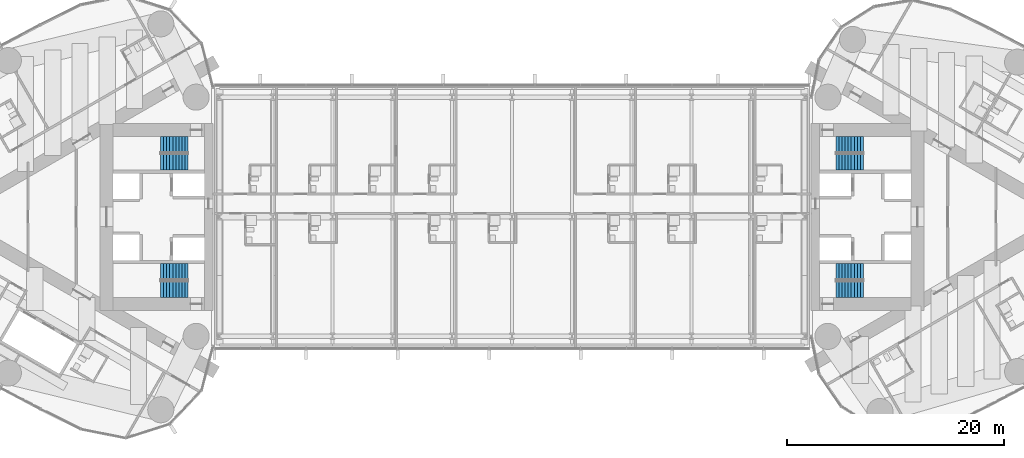
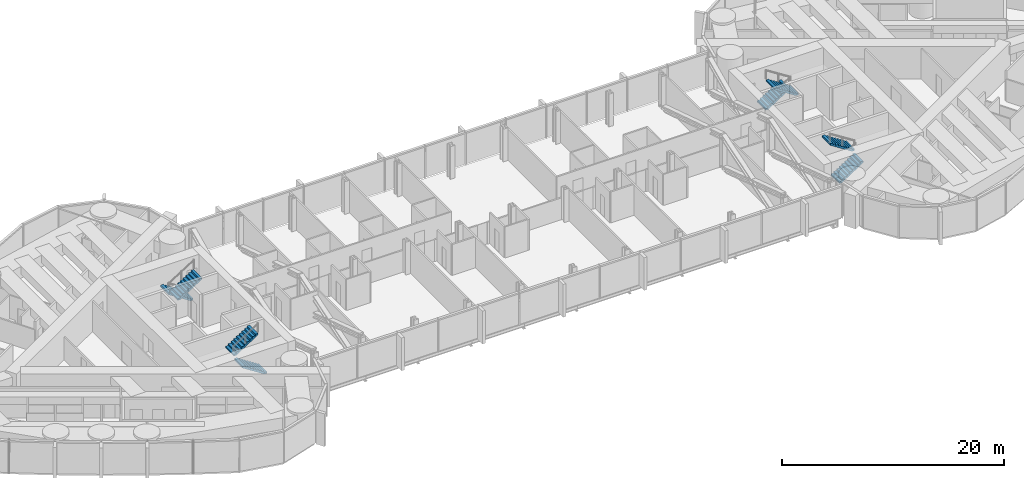
# One storey, part 20 of 22: 8 stair flights, 4 elements without a shape of their own.
"""IFC4 building model written with IfcOpenShell, lengths in metres."""

from ifc_helpers import new_model, si_unit, direction, frame, origin, place, context, subcontext, project, spatial, polyline, outline, extrude, material, type_object, element, aggregate, save


model = new_model("IFC4")

# Units and contexts
model_context = context("Model", 3, precision=1e-05, world=origin(), true_north=direction((0.0, 1.0)))
body_context = subcontext(model_context, "Body", "Model", "MODEL_VIEW")
ifc_project = project(units=[si_unit("LENGTHUNIT", "METRE"), si_unit("AREAUNIT", "SQUARE_METRE"), si_unit("VOLUMEUNIT", "CUBIC_METRE"), si_unit("PLANEANGLEUNIT", "RADIAN"), si_unit("MASSUNIT", "GRAM", prefix="KILO")], contexts=[model_context])

# Site, building, storey
site_placement = place(None, origin())
site = spatial("IfcSite", under=ifc_project, at=site_placement, CompositionType="ELEMENT")
building_placement = place(site_placement, origin())
building = spatial("IfcBuilding", under=site, at=building_placement, Name="Lancet Gate Hotel", CompositionType="ELEMENT")
storey_placement = place(building_placement, frame((0.0, 0.0, 233.300048828125)))
storey = spatial("IfcBuildingStorey", under=building, at=storey_placement, Name="L62", CompositionType="ELEMENT", Elevation=233.300048828125)

# Stair, stair flights
ifc_material_1 = material(Name="Exit stair 20 risers 1500")
stair_type = type_object("IfcStairType", Name="Exit stair 20 risers 1500", PredefinedType="HALF_TURN_STAIR", material=ifc_material_1)
stair_1_placement = place(storey_placement, origin())
stair_1 = element("IfcStair", 1, at=stair_1_placement, inside=storey, type_object=stair_type, Name="T1 stair 1 L62", PredefinedType="HALF_TURN_STAIR")
ifc_material_2 = material(Name="Stair flight 10 risers 180 rise 1500")
stair_flight_type = type_object("IfcStairFlightType", Name="Stair flight 10 risers 180 rise 1500", PredefinedType="STRAIGHT", material=ifc_material_2)
stair_flight_1_placement = place(storey_placement, frame((-29.800048828125, 6.64990234375, 0.0), z_axis=(0.0, 0.0, 1.0), x_axis=(-1.0, 0.0, 0.0)))
stair_flight_1 = element("IfcStairFlight", 2, at=stair_flight_1_placement, type_object=stair_flight_type, Name="ST1 flight 1", NumberOfRisers=10, NumberOfTreads=9, PredefinedType="STRAIGHT", RiserHeight=0.18, TreadLength=0.28, context=body_context, shape_type="SweptSolid", body=[
    extrude(outline(polyline([(0.0, 0.0), (0.0, 0.179931640625), (0.280029296875, 0.179931640625), (0.280029296875, 0.360107421875), (0.56005859375, 0.360107421875), (0.56005859375, 0.5400390625), (0.840087890625, 0.5400390625), (0.840087890625, 0.719970703125), (1.1201171875, 0.719970703125), (1.1201171875, 0.89990234375), (1.39990234375, 0.89990234375), (1.39990234375, 1.080078125), (1.679931640625, 1.080078125), (1.679931640625, 1.260009765625), (1.9599609375, 1.260009765625), (1.9599609375, 1.43994140625), (2.239990234375, 1.43994140625), (2.239990234375, 1.6201171875), (2.52001953125, 1.6201171875), (2.52001953125, 1.800048828125), (2.52001953125, 1.44189453125), (0.277099609375, 0.0), (0.0, 0.0)])), frame((0.0, 0.75, 0.0), z_axis=(0.0, -1.0, 0.0), x_axis=(1.0, 0.0, 0.0)), (0.0, 0.0, 1.0), 1.5),
])
stair_flight_2_placement = place(storey_placement, frame((-32.320068359375, 5.050048828125, 1.800048828125), z_axis=(0.0, 0.0, 1.0), x_axis=(1.0, 0.0, 0.0)))
stair_flight_2 = element("IfcStairFlight", 3, at=stair_flight_2_placement, type_object=stair_flight_type, Name="ST1 flight 2", NumberOfRisers=10, NumberOfTreads=9, PredefinedType="STRAIGHT", RiserHeight=0.18, TreadLength=0.28, context=body_context, shape_type="SweptSolid", body=[
    extrude(outline(polyline([(0.0, 0.0), (0.0, 0.179931640625), (0.280029296875, 0.179931640625), (0.280029296875, 0.360107421875), (0.56005859375, 0.360107421875), (0.56005859375, 0.5400390625), (0.840087890625, 0.5400390625), (0.840087890625, 0.719970703125), (1.1201171875, 0.719970703125), (1.1201171875, 0.89990234375), (1.39990234375, 0.89990234375), (1.39990234375, 1.080078125), (1.679931640625, 1.080078125), (1.679931640625, 1.260009765625), (1.9599609375, 1.260009765625), (1.9599609375, 1.43994140625), (2.239990234375, 1.43994140625), (2.239990234375, 1.6201171875), (2.52001953125, 1.6201171875), (2.52001953125, 1.800048828125), (2.52001953125, 1.44189453125), (0.277099609375, 0.0), (0.0, 0.0)])), frame((0.0, 0.75, 0.0), z_axis=(0.0, -1.0, 0.0), x_axis=(1.0, 0.0, 0.0)), (0.0, 0.0, 1.0), 1.5),
])
aggregate(stair_1, [stair_flight_1, stair_flight_2])

stair_2_placement = place(storey_placement, origin())
stair_2 = element("IfcStair", 4, at=stair_2_placement, inside=storey, type_object=stair_type, Name="T1 stair 2 L62", PredefinedType="HALF_TURN_STAIR")
stair_flight_3_placement = place(storey_placement, frame((-29.800048828125, -6.64990234375, 0.0), z_axis=(0.0, 0.0, 1.0), x_axis=(-1.0, 0.0, 0.0)))
stair_flight_3 = element("IfcStairFlight", 5, at=stair_flight_3_placement, type_object=stair_flight_type, Name="ST2 flight 1", NumberOfRisers=10, NumberOfTreads=9, PredefinedType="STRAIGHT", RiserHeight=0.18, TreadLength=0.28, context=body_context, shape_type="SweptSolid", body=[
    extrude(outline(polyline([(0.0, 0.0), (0.0, 0.179931640625), (0.280029296875, 0.179931640625), (0.280029296875, 0.360107421875), (0.56005859375, 0.360107421875), (0.56005859375, 0.5400390625), (0.840087890625, 0.5400390625), (0.840087890625, 0.719970703125), (1.1201171875, 0.719970703125), (1.1201171875, 0.89990234375), (1.39990234375, 0.89990234375), (1.39990234375, 1.080078125), (1.679931640625, 1.080078125), (1.679931640625, 1.260009765625), (1.9599609375, 1.260009765625), (1.9599609375, 1.43994140625), (2.239990234375, 1.43994140625), (2.239990234375, 1.6201171875), (2.52001953125, 1.6201171875), (2.52001953125, 1.800048828125), (2.52001953125, 1.44189453125), (0.277099609375, 0.0), (0.0, 0.0)])), frame((0.0, 0.75, 0.0), z_axis=(0.0, -1.0, 0.0), x_axis=(1.0, 0.0, 0.0)), (0.0, 0.0, 1.0), 1.5),
])
stair_flight_4_placement = place(storey_placement, frame((-32.320068359375, -5.050048828125, 1.800048828125), z_axis=(0.0, 0.0, 1.0), x_axis=(1.0, 0.0, 0.0)))
stair_flight_4 = element("IfcStairFlight", 6, at=stair_flight_4_placement, type_object=stair_flight_type, Name="ST2 flight 2", NumberOfRisers=10, NumberOfTreads=9, PredefinedType="STRAIGHT", RiserHeight=0.18, TreadLength=0.28, context=body_context, shape_type="SweptSolid", body=[
    extrude(outline(polyline([(0.0, 0.0), (0.0, 0.179931640625), (0.280029296875, 0.179931640625), (0.280029296875, 0.360107421875), (0.56005859375, 0.360107421875), (0.56005859375, 0.5400390625), (0.840087890625, 0.5400390625), (0.840087890625, 0.719970703125), (1.1201171875, 0.719970703125), (1.1201171875, 0.89990234375), (1.39990234375, 0.89990234375), (1.39990234375, 1.080078125), (1.679931640625, 1.080078125), (1.679931640625, 1.260009765625), (1.9599609375, 1.260009765625), (1.9599609375, 1.43994140625), (2.239990234375, 1.43994140625), (2.239990234375, 1.6201171875), (2.52001953125, 1.6201171875), (2.52001953125, 1.800048828125), (2.52001953125, 1.44189453125), (0.277099609375, 0.0), (0.0, 0.0)])), frame((0.0, 0.75, 0.0), z_axis=(0.0, -1.0, 0.0), x_axis=(1.0, 0.0, 0.0)), (0.0, 0.0, 1.0), 1.5),
])
aggregate(stair_2, [stair_flight_3, stair_flight_4])

stair_3_placement = place(storey_placement, origin())
stair_3 = element("IfcStair", 7, at=stair_3_placement, inside=storey, type_object=stair_type, Name="T2 stair 1 L62", PredefinedType="HALF_TURN_STAIR")
stair_flight_5_placement = place(storey_placement, frame((29.800048828125, -6.64990234375, 0.0), z_axis=(0.0, 0.0, 1.0), x_axis=(1.0, 0.0, 0.0)))
stair_flight_5 = element("IfcStairFlight", 8, at=stair_flight_5_placement, type_object=stair_flight_type, Name="ST3 flight 1", NumberOfRisers=10, NumberOfTreads=9, PredefinedType="STRAIGHT", RiserHeight=0.18, TreadLength=0.28, context=body_context, shape_type="SweptSolid", body=[
    extrude(outline(polyline([(0.0, 0.0), (0.0, 0.179931640625), (0.280029296875, 0.179931640625), (0.280029296875, 0.360107421875), (0.56005859375, 0.360107421875), (0.56005859375, 0.5400390625), (0.840087890625, 0.5400390625), (0.840087890625, 0.719970703125), (1.1201171875, 0.719970703125), (1.1201171875, 0.89990234375), (1.39990234375, 0.89990234375), (1.39990234375, 1.080078125), (1.679931640625, 1.080078125), (1.679931640625, 1.260009765625), (1.9599609375, 1.260009765625), (1.9599609375, 1.43994140625), (2.239990234375, 1.43994140625), (2.239990234375, 1.6201171875), (2.52001953125, 1.6201171875), (2.52001953125, 1.800048828125), (2.52001953125, 1.44189453125), (0.277099609375, 0.0), (0.0, 0.0)])), frame((0.0, 0.75, 0.0), z_axis=(0.0, -1.0, 0.0), x_axis=(1.0, 0.0, 0.0)), (0.0, 0.0, 1.0), 1.5),
])
stair_flight_6_placement = place(storey_placement, frame((32.320068359375, -5.050048828125, 1.800048828125), z_axis=(0.0, 0.0, 1.0), x_axis=(-1.0, 0.0, 0.0)))
stair_flight_6 = element("IfcStairFlight", 9, at=stair_flight_6_placement, type_object=stair_flight_type, Name="ST3 flight 2", NumberOfRisers=10, NumberOfTreads=9, PredefinedType="STRAIGHT", RiserHeight=0.18, TreadLength=0.28, context=body_context, shape_type="SweptSolid", body=[
    extrude(outline(polyline([(0.0, 0.0), (0.0, 0.179931640625), (0.280029296875, 0.179931640625), (0.280029296875, 0.360107421875), (0.56005859375, 0.360107421875), (0.56005859375, 0.5400390625), (0.840087890625, 0.5400390625), (0.840087890625, 0.719970703125), (1.1201171875, 0.719970703125), (1.1201171875, 0.89990234375), (1.39990234375, 0.89990234375), (1.39990234375, 1.080078125), (1.679931640625, 1.080078125), (1.679931640625, 1.260009765625), (1.9599609375, 1.260009765625), (1.9599609375, 1.43994140625), (2.239990234375, 1.43994140625), (2.239990234375, 1.6201171875), (2.52001953125, 1.6201171875), (2.52001953125, 1.800048828125), (2.52001953125, 1.44189453125), (0.277099609375, 0.0), (0.0, 0.0)])), frame((0.0, 0.75, 0.0), z_axis=(0.0, -1.0, 0.0), x_axis=(1.0, 0.0, 0.0)), (0.0, 0.0, 1.0), 1.5),
])
aggregate(stair_3, [stair_flight_5, stair_flight_6])

stair_4_placement = place(storey_placement, origin())
stair_4 = element("IfcStair", 10, at=stair_4_placement, inside=storey, type_object=stair_type, Name="T2 stair 2 L62", PredefinedType="HALF_TURN_STAIR")
stair_flight_7_placement = place(storey_placement, frame((29.800048828125, 6.64990234375, 0.0), z_axis=(0.0, 0.0, 1.0), x_axis=(1.0, 0.0, 0.0)))
stair_flight_7 = element("IfcStairFlight", 11, at=stair_flight_7_placement, type_object=stair_flight_type, Name="ST4 flight 1", NumberOfRisers=10, NumberOfTreads=9, PredefinedType="STRAIGHT", RiserHeight=0.18, TreadLength=0.28, context=body_context, shape_type="SweptSolid", body=[
    extrude(outline(polyline([(0.0, 0.0), (0.0, 0.179931640625), (0.280029296875, 0.179931640625), (0.280029296875, 0.360107421875), (0.56005859375, 0.360107421875), (0.56005859375, 0.5400390625), (0.840087890625, 0.5400390625), (0.840087890625, 0.719970703125), (1.1201171875, 0.719970703125), (1.1201171875, 0.89990234375), (1.39990234375, 0.89990234375), (1.39990234375, 1.080078125), (1.679931640625, 1.080078125), (1.679931640625, 1.260009765625), (1.9599609375, 1.260009765625), (1.9599609375, 1.43994140625), (2.239990234375, 1.43994140625), (2.239990234375, 1.6201171875), (2.52001953125, 1.6201171875), (2.52001953125, 1.800048828125), (2.52001953125, 1.44189453125), (0.277099609375, 0.0), (0.0, 0.0)])), frame((0.0, 0.75, 0.0), z_axis=(0.0, -1.0, 0.0), x_axis=(1.0, 0.0, 0.0)), (0.0, 0.0, 1.0), 1.5),
])
stair_flight_8_placement = place(storey_placement, frame((32.320068359375, 5.050048828125, 1.800048828125), z_axis=(0.0, 0.0, 1.0), x_axis=(-1.0, 0.0, 0.0)))
stair_flight_8 = element("IfcStairFlight", 12, at=stair_flight_8_placement, type_object=stair_flight_type, Name="ST4 flight 2", NumberOfRisers=10, NumberOfTreads=9, PredefinedType="STRAIGHT", RiserHeight=0.18, TreadLength=0.28, context=body_context, shape_type="SweptSolid", body=[
    extrude(outline(polyline([(0.0, 0.0), (0.0, 0.179931640625), (0.280029296875, 0.179931640625), (0.280029296875, 0.360107421875), (0.56005859375, 0.360107421875), (0.56005859375, 0.5400390625), (0.840087890625, 0.5400390625), (0.840087890625, 0.719970703125), (1.1201171875, 0.719970703125), (1.1201171875, 0.89990234375), (1.39990234375, 0.89990234375), (1.39990234375, 1.080078125), (1.679931640625, 1.080078125), (1.679931640625, 1.260009765625), (1.9599609375, 1.260009765625), (1.9599609375, 1.43994140625), (2.239990234375, 1.43994140625), (2.239990234375, 1.6201171875), (2.52001953125, 1.6201171875), (2.52001953125, 1.800048828125), (2.52001953125, 1.44189453125), (0.277099609375, 0.0), (0.0, 0.0)])), frame((0.0, 0.75, 0.0), z_axis=(0.0, -1.0, 0.0), x_axis=(1.0, 0.0, 0.0)), (0.0, 0.0, 1.0), 1.5),
])
aggregate(stair_4, [stair_flight_7, stair_flight_8])

save(model, "model.ifc")
